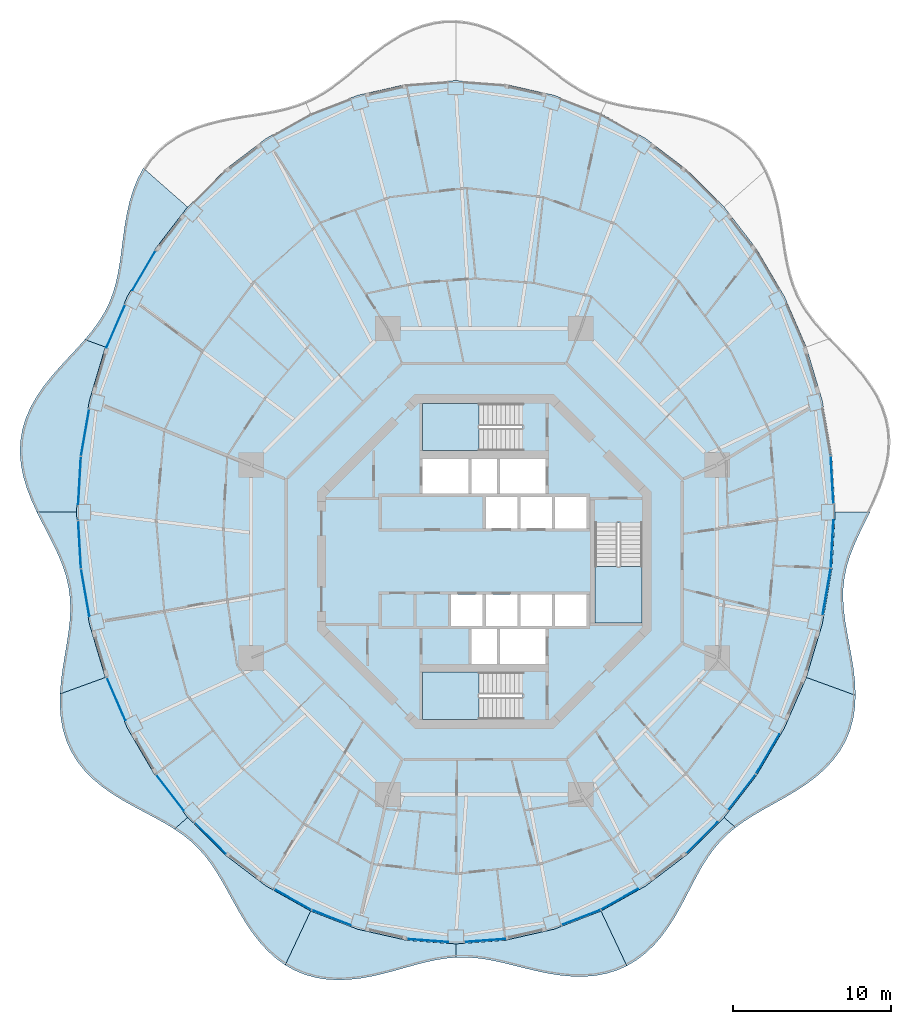
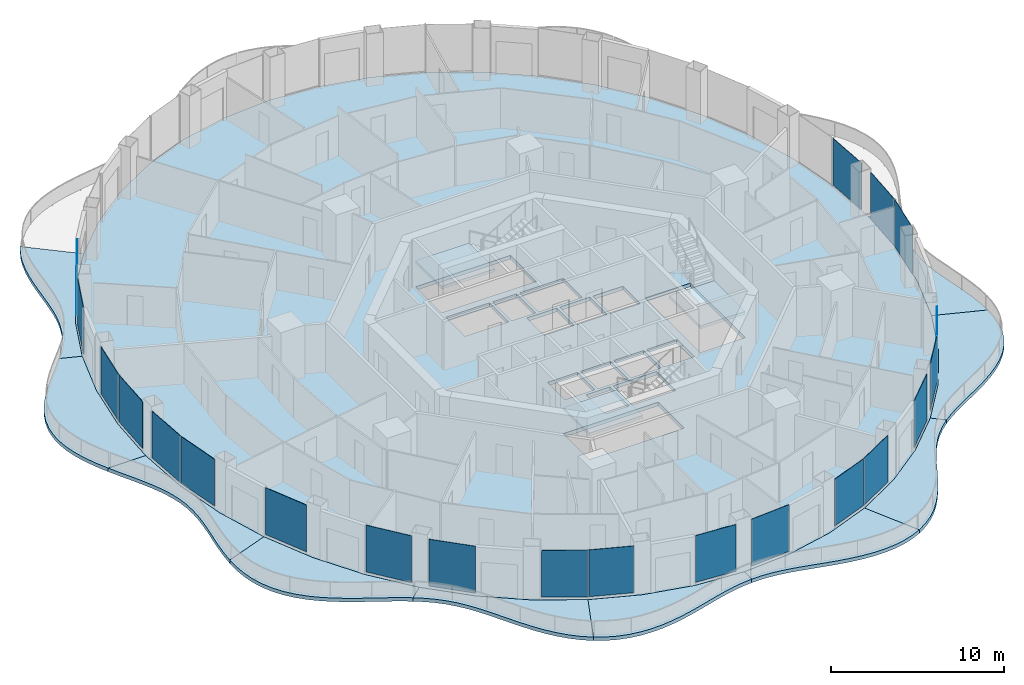
# One storey, part 8 of 18: 21 plates, 14 slabs, 24 elements without a shape of their own.
"""IFC4 building model written with IfcOpenShell, lengths in metres."""

from ifc_helpers import new_model, si_unit, direction, frame, origin, origin_2d, place, context, subcontext, project, spatial, polyline, rectangle, outline, extrude, material, layer, layer_set, type_object, element, aggregate, save


model = new_model("IFC4")

# Units and contexts
model_context = context("Model", 3, precision=1e-05, world=origin(), true_north=direction((0.0, 1.0)))
body_context = subcontext(model_context, "Body", "Model", "MODEL_VIEW")
ifc_project = project(units=[si_unit("LENGTHUNIT", "METRE"), si_unit("AREAUNIT", "SQUARE_METRE"), si_unit("VOLUMEUNIT", "CUBIC_METRE"), si_unit("PLANEANGLEUNIT", "RADIAN"), si_unit("MASSUNIT", "GRAM", prefix="KILO")], contexts=[model_context])

# Site, building, storey
site_placement = place(None, origin())
site = spatial("IfcSite", under=ifc_project, at=site_placement, CompositionType="ELEMENT")
building_placement = place(site_placement, origin())
building = spatial("IfcBuilding", under=site, at=building_placement, Name="Nagisa Residences", CompositionType="ELEMENT")
storey_placement = place(building_placement, frame((0.0, 0.0, 234.39990234375)))
storey = spatial("IfcBuildingStorey", under=building, at=storey_placement, Name="L59", CompositionType="ELEMENT", Elevation=234.39990234375)

# Slabs
ifc_material_1 = material(Name="Concrete C40/50", Category="concrete")
ifc_layer_1 = layer(ifc_material_1, 0.25)
ifc_layer_set_1 = layer_set([ifc_layer_1], Name="BALCONY SLAB 250")
slab_type_1 = type_object("IfcSlabType", Name="BALCONY SLAB 250", PredefinedType="FLOOR", material=ifc_layer_set_1)
slab_1_placement = place(storey_placement, frame((0.0, 0.0, -0.25)))
element("IfcSlab", 1, at=slab_1_placement, inside=storey, type_object=slab_type_1, Name="slab:L59:bal06", PredefinedType="FLOOR", context=body_context, shape_type="SweptSolid", body=[
    extrude(outline(polyline([(-21.626953125, 24.9521484375), (-21.9833984375, 24.284912109375), (-22.27099609375, 23.57421875), (-22.496826171875, 22.8310546875), (-22.67041015625, 22.06689453125), (-22.803955078125, 21.2939453125), (-22.9111328125, 20.523193359375), (-23.007080078125, 19.76416015625), (-23.107421875, 19.025146484375), (-23.226318359375, 18.31201171875), (-23.37744140625, 17.62841796875), (-23.5712890625, 16.9755859375), (-23.816162109375, 16.3525390625), (-24.1162109375, 15.75634765625), (-24.47265625, 15.181640625), (-24.882080078125, 14.622802734375), (-25.337890625, 14.07275390625), (-24.037841796875, 13.599365234375), (-22.645263671875, 16.812744140625), (-20.89599609375, 19.791748046875), (-18.820068359375, 22.4853515625), (-21.626953125, 24.9521484375)])), origin(), (0.0, 0.0, 1.0), 0.25),
])
slab_2_placement = place(storey_placement, frame((0.0, 0.0, -0.25)))
element("IfcSlab", 2, at=slab_2_placement, inside=storey, type_object=slab_type_1, Name="slab:L59:bal07", PredefinedType="FLOOR", context=body_context, shape_type="SweptSolid", body=[
    extrude(outline(polyline([(-25.337890625, 14.07275390625), (-25.84619140625, 13.50634765625), (-26.37841796875, 12.93359375), (-26.917724609375, 12.34765625), (-27.446044921875, 11.74267578125), (-27.9443359375, 11.114501953125), (-28.394287109375, 10.461181640625), (-28.779541015625, 9.78173828125), (-29.08642578125, 9.078369140625), (-29.30419921875, 8.353515625), (-29.427001953125, 7.61181640625), (-29.452880859375, 6.85888671875), (-29.384765625, 6.1005859375), (-29.22998046875, 5.34228515625), (-29.000244140625, 4.58984375), (-28.7099609375, 3.84716796875), (-28.376708984375, 3.11767578125), (-25.8701171875, 3.11767578125), (-25.6640625, 6.69287109375), (-25.0498046875, 10.206787109375), (-24.037841796875, 13.599365234375), (-25.337890625, 14.07275390625)])), origin(), (0.0, 0.0, 1.0), 0.25),
])
slab_3_placement = place(storey_placement, frame((0.0, 0.0, -0.25)))
element("IfcSlab", 3, at=slab_3_placement, inside=storey, type_object=slab_type_1, Name="slab:L59:bal08", PredefinedType="FLOOR", context=body_context, shape_type="SweptSolid", body=[
    extrude(outline(polyline([(-28.376708984375, 3.11767578125), (-28.01953125, 2.403076171875), (-27.657958984375, 1.703369140625), (-27.310302734375, 1.016845703125), (-26.994384765625, 0.340576171875), (-26.72412109375, -0.329345703125), (-26.510498046875, -0.998291015625), (-26.360595703125, -1.67138671875), (-26.2763671875, -2.353759765625), (-26.255615234375, -3.05029296875), (-26.291748046875, -3.7646484375), (-26.373779296875, -4.49853515625), (-26.487548828125, -5.25244140625), (-26.61669921875, -6.02490234375), (-26.742431640625, -6.8125), (-26.846435546875, -7.609619140625), (-26.91015625, -8.40966796875), (-24.037841796875, -7.364013671875), (-25.0498046875, -3.971435546875), (-25.6640625, -0.45751953125), (-25.8701171875, 3.11767578125), (-28.376708984375, 3.11767578125)])), origin(), (0.0, 0.0, 1.0), 0.25),
])
slab_4_placement = place(storey_placement, frame((0.0, 0.0, -0.25)))
element("IfcSlab", 4, at=slab_4_placement, inside=storey, type_object=slab_type_1, Name="slab:L59:bal09", PredefinedType="FLOOR", context=body_context, shape_type="SweptSolid", body=[
    extrude(outline(polyline([(-26.91015625, -8.40966796875), (-26.918212890625, -9.1796875), (-26.8603515625, -9.9365234375), (-26.72705078125, -10.672119140625), (-26.51171875, -11.378662109375), (-26.2119140625, -12.04931640625), (-25.82861328125, -12.67822265625), (-25.3671875, -13.26220703125), (-24.835693359375, -13.7998046875), (-24.245361328125, -14.29150390625), (-23.609619140625, -14.740966796875), (-22.94287109375, -15.153564453125), (-22.260986328125, -15.537353515625), (-21.578369140625, -15.9013671875), (-20.9091796875, -16.25634765625), (-20.26513671875, -16.613525390625), (-19.655517578125, -16.984130859375), (-18.820068359375, -16.25), (-20.89599609375, -13.556396484375), (-22.645263671875, -10.577392578125), (-24.037841796875, -7.364013671875), (-26.91015625, -8.40966796875)])), origin(), (0.0, 0.0, 1.0), 0.25),
])
slab_5_placement = place(storey_placement, frame((0.0, 0.0, -0.25)))
element("IfcSlab", 5, at=slab_5_placement, inside=storey, type_object=slab_type_1, Name="slab:L59:bal10", PredefinedType="FLOOR", context=body_context, shape_type="SweptSolid", body=[
    extrude(outline(polyline([(-19.655517578125, -16.984130859375), (-19.112548828125, -17.359375), (-18.609375, -17.763671875), (-18.14599609375, -18.203125), (-17.7197265625, -18.681640625), (-17.325439453125, -19.200439453125), (-16.955810546875, -19.7587890625), (-16.602294921875, -20.35205078125), (-16.2548828125, -20.97412109375), (-15.903076171875, -21.615478515625), (-15.537109375, -22.265625), (-15.1474609375, -22.911865234375), (-14.725830078125, -23.540283203125), (-14.26611328125, -24.137451171875), (-13.763916015625, -24.68994140625), (-13.21728515625, -25.185302734375), (-12.6259765625, -25.61328125), (-11.01123046875, -22.187255859375), (-13.8349609375, -20.602783203125), (-16.452880859375, -18.6123046875), (-18.820068359375, -16.25), (-19.655517578125, -16.984130859375)])), origin(), (0.0, 0.0, 1.0), 0.25),
])
slab_6_placement = place(storey_placement, frame((0.0, 0.0, -0.25)))
element("IfcSlab", 6, at=slab_6_placement, inside=storey, type_object=slab_type_1, Name="slab:L59:bal11", PredefinedType="FLOOR", context=body_context, shape_type="SweptSolid", body=[
    extrude(outline(polyline([(-12.6259765625, -25.61328125), (-12.01611328125, -25.9541015625), (-11.371337890625, -26.219970703125), (-10.6962890625, -26.408447265625), (-9.997802734375, -26.520751953125), (-9.282470703125, -26.560302734375), (-8.557861328125, -26.533447265625), (-7.830810546875, -26.44921875), (-7.107666015625, -26.318603515625), (-6.3935546875, -26.15380859375), (-5.692626953125, -25.968505859375), (-5.007568359375, -25.776123046875), (-4.339111328125, -25.59033203125), (-3.686767578125, -25.42333984375), (-3.048583984375, -25.285888671875), (-2.4208984375, -25.186279296875), (-1.800048828125, -25.130615234375), (-1.800048828125, -24.272216796875), (-4.941650390625, -24.0380859375), (-8.02978515625, -23.339111328125), (-11.01123046875, -22.187255859375), (-12.6259765625, -25.61328125)])), origin(), (0.0, 0.0, 1.0), 0.25),
])
slab_7_placement = place(storey_placement, frame((0.0, 0.0, -0.25)))
element("IfcSlab", 7, at=slab_7_placement, inside=storey, type_object=slab_type_1, Name="slab:L59:bal12", PredefinedType="FLOOR", context=body_context, shape_type="SweptSolid", body=[
    extrude(outline(polyline([(-1.800048828125, -25.130615234375), (-1.180908203125, -25.12158203125), (-0.55859375, -25.159423828125), (0.0712890625, -25.240966796875), (0.713134765625, -25.360107421875), (1.369873046875, -25.508544921875), (2.04296875, -25.67529296875), (2.73291015625, -25.848388671875), (3.438232421875, -26.01416015625), (4.15625, -26.1591796875), (4.882568359375, -26.270263671875), (5.611328125, -26.334716796875), (6.3359375, -26.34228515625), (7.04931640625, -26.283935546875), (7.744140625, -26.153564453125), (8.413330078125, -25.947509765625), (9.050537109375, -25.66552734375), (7.4111328125, -22.187255859375), (4.4296875, -23.339111328125), (1.341796875, -24.0380859375), (-1.800048828125, -24.272216796875), (-1.800048828125, -25.130615234375)])), origin(), (0.0, 0.0, 1.0), 0.25),
])
slab_8_placement = place(storey_placement, frame((0.0, 0.0, -0.25)))
element("IfcSlab", 8, at=slab_8_placement, inside=storey, type_object=slab_type_1, Name="slab:L59:bal13", PredefinedType="FLOOR", context=body_context, shape_type="SweptSolid", body=[
    extrude(outline(polyline([(9.050537109375, -25.66552734375), (9.67236328125, -25.294677734375), (10.250244140625, -24.849609375), (10.78173828125, -24.338623046875), (11.267578125, -23.772216796875), (11.7099609375, -23.16259765625), (12.11376953125, -22.523193359375), (12.485595703125, -21.867431640625), (12.834228515625, -21.208740234375), (13.16943359375, -20.5595703125), (13.501220703125, -19.93017578125), (13.84033203125, -19.329345703125), (14.19677734375, -18.763671875), (14.5791015625, -18.23681640625), (14.994873046875, -17.74951171875), (15.44873046875, -17.300537109375), (15.943603515625, -16.8857421875), (15.219970703125, -16.25), (12.852783203125, -18.6123046875), (10.235107421875, -20.602783203125), (7.4111328125, -22.187255859375), (9.050537109375, -25.66552734375)])), origin(), (0.0, 0.0, 1.0), 0.25),
])
slab_9_placement = place(storey_placement, frame((0.0, 0.0, -0.25)))
element("IfcSlab", 9, at=slab_9_placement, inside=storey, type_object=slab_type_1, Name="slab:L59:bal14", PredefinedType="FLOOR", context=body_context, shape_type="SweptSolid", body=[
    extrude(outline(polyline([(15.943603515625, -16.8857421875), (16.506103515625, -16.480712890625), (17.10986328125, -16.097900390625), (17.74755859375, -15.726806640625), (18.409912109375, -15.35693359375), (19.08447265625, -14.97705078125), (19.7568359375, -14.5771484375), (20.412109375, -14.14794921875), (21.034912109375, -13.682373046875), (21.6103515625, -13.17529296875), (22.125, -12.6240234375), (22.568115234375, -12.027587890625), (22.931640625, -11.387939453125), (23.2109375, -10.709228515625), (23.405029296875, -9.99658203125), (23.517333984375, -9.257080078125), (23.55419921875, -8.498291015625), (20.437744140625, -7.364013671875), (19.045166015625, -10.577392578125), (17.2958984375, -13.556396484375), (15.219970703125, -16.25), (15.943603515625, -16.8857421875)])), origin(), (0.0, 0.0, 1.0), 0.25),
])
slab_10_placement = place(storey_placement, frame((0.0, 0.0, -0.25)))
element("IfcSlab", 10, at=slab_10_placement, inside=storey, type_object=slab_type_1, Name="slab:L59:bal15", PredefinedType="FLOOR", context=body_context, shape_type="SweptSolid", body=[
    extrude(outline(polyline([(23.55419921875, -8.498291015625), (23.524169921875, -7.703857421875), (23.439208984375, -6.90576171875), (23.316162109375, -6.11181640625), (23.17333984375, -5.328369140625), (23.02978515625, -4.560546875), (22.90380859375, -3.81103515625), (22.8115234375, -3.0810546875), (22.766845703125, -2.36962890625), (22.7802734375, -1.67431640625), (22.858154296875, -0.991455078125), (23.001708984375, -0.316162109375), (23.208740234375, 0.356689453125), (23.47119140625, 1.0322265625), (23.778076171875, 1.71533203125), (24.114501953125, 2.40966796875), (24.463134765625, 3.11767578125), (22.27001953125, 3.11767578125), (22.06396484375, -0.45751953125), (21.449951171875, -3.971435546875), (20.437744140625, -7.364013671875), (23.55419921875, -8.498291015625)])), origin(), (0.0, 0.0, 1.0), 0.25),
])

# Curtain wall, plate
ifc_material_2 = material(Name="Concrete-coloured aluminium curtain wall system", Category="concrete")
ifc_layer_2 = layer(ifc_material_2, 0.159912109375)
ifc_layer_set_2 = layer_set([ifc_layer_2], Name="CW1 CURTAIN WALL")
curtain_wall_type = type_object("IfcCurtainWallType", Name="CW1 CURTAIN WALL", PredefinedType="NOTDEFINED", material=ifc_layer_set_2)
curtain_wall_1_placement = place(storey_placement, origin())
curtain_wall_1 = element("IfcCurtainWall", 11, at=curtain_wall_1_placement, inside=storey, type_object=curtain_wall_type, Name="cw:CW1:L59:00", PredefinedType="NOTDEFINED")
ifc_material_3 = material(Name="Clear laminated glass", Category="glass")
ifc_layer_3 = layer(ifc_material_3, 0.028076171875)
ifc_layer_set_3 = layer_set([ifc_layer_3], Name="CW1 GLASS PANEL")
plate_type = type_object("IfcPlateType", Name="CW1 GLASS PANEL", PredefinedType="CURTAIN_PANEL", material=ifc_layer_set_3)
plate_1_placement = place(storey_placement, frame((22.071044921875, 5.18017578125, 0.150146484375), z_axis=(0.0, 0.0, 1.0), x_axis=(-0.057503492216, 0.998345305184, 0.0)))
plate_1 = element("IfcPlate", 12, at=plate_1_placement, type_object=plate_type, Name="CW1 panel", PredefinedType="CURTAIN_PANEL", context=body_context, shape_type="SweptSolid", body=[
    extrude(rectangle(XDim=3.02099609375, YDim=0.028076171875, at=origin_2d()), origin(), (0.0, 0.0, 1.0), 3.2900390625),
])
aggregate(curtain_wall_1, [plate_1])

curtain_wall_2_placement = place(storey_placement, origin())
curtain_wall_2 = element("IfcCurtainWall", 13, at=curtain_wall_2_placement, inside=storey, type_object=curtain_wall_type, Name="cw:CW1:L59:19", PredefinedType="NOTDEFINED")
plate_2_placement = place(storey_placement, frame((-21.59033203125, 18.451416015625, 0.150146484375), z_axis=(0.0, 0.0, 1.0), x_axis=(-0.506348567002, -0.862328898214, 0.0)))
plate_2 = element("IfcPlate", 14, at=plate_2_placement, type_object=plate_type, Name="CW1 panel", PredefinedType="CURTAIN_PANEL", context=body_context, shape_type="SweptSolid", body=[
    extrude(rectangle(XDim=2.89453125, YDim=0.028076171875, at=origin_2d()), origin(), (0.0, 0.0, 1.0), 3.2900390625),
])
aggregate(curtain_wall_2, [plate_2])

curtain_wall_3_placement = place(storey_placement, origin())
curtain_wall_3 = element("IfcCurtainWall", 15, at=curtain_wall_3_placement, inside=storey, type_object=curtain_wall_type, Name="cw:CW1:L59:20", PredefinedType="NOTDEFINED")
plate_3_placement = place(storey_placement, frame((-23.37939453125, 14.917236328125, 0.150146484375), z_axis=(0.0, 0.0, 1.0), x_axis=(-0.397635934147, -0.917543276295, 0.0)))
plate_3 = element("IfcPlate", 16, at=plate_3_placement, type_object=plate_type, Name="CW1 panel", PredefinedType="CURTAIN_PANEL", context=body_context, shape_type="SweptSolid", body=[
    extrude(rectangle(XDim=2.942138671875, YDim=0.028076171875, at=origin_2d()), origin(), (0.0, 0.0, 1.0), 3.2900390625),
])
aggregate(curtain_wall_3, [plate_3])

curtain_wall_4_placement = place(storey_placement, origin())
curtain_wall_4 = element("IfcCurtainWall", 17, at=curtain_wall_4_placement, inside=storey, type_object=curtain_wall_type, Name="cw:CW1:L59:22", PredefinedType="NOTDEFINED")
plate_4_placement = place(storey_placement, frame((-25.326416015625, 8.16015625, 0.150146484375), z_axis=(0.0, 0.0, 1.0), x_axis=(-0.172190868898, -0.985063604377, 0.0)))
plate_4 = element("IfcPlate", 18, at=plate_4_placement, type_object=plate_type, Name="CW1 panel", PredefinedType="CURTAIN_PANEL", context=body_context, shape_type="SweptSolid", body=[
    extrude(rectangle(XDim=3.00732421875, YDim=0.028076171875, at=origin_2d()), origin(), (0.0, 0.0, 1.0), 3.2900390625),
])
aggregate(curtain_wall_4, [plate_4])

curtain_wall_5_placement = place(storey_placement, origin())
curtain_wall_5 = element("IfcCurtainWall", 19, at=curtain_wall_5_placement, inside=storey, type_object=curtain_wall_type, Name="cw:CW1:L59:23", PredefinedType="NOTDEFINED")
plate_5_placement = place(storey_placement, frame((-25.674560546875, 5.120361328125, 0.150146484375), z_axis=(0.0, 0.0, 1.0), x_axis=(-0.057503492216, -0.998345305184, 0.0)))
plate_5 = element("IfcPlate", 20, at=plate_5_placement, type_object=plate_type, Name="CW1 panel", PredefinedType="CURTAIN_PANEL", context=body_context, shape_type="SweptSolid", body=[
    extrude(rectangle(XDim=3.02099609375, YDim=0.028076171875, at=origin_2d()), origin(), (0.0, 0.0, 1.0), 3.2900390625),
])
aggregate(curtain_wall_5, [plate_5])

curtain_wall_6_placement = place(storey_placement, origin())
curtain_wall_6 = element("IfcCurtainWall", 21, at=curtain_wall_6_placement, inside=storey, type_object=curtain_wall_type, Name="cw:CW1:L59:24", PredefinedType="NOTDEFINED")
plate_6_placement = place(storey_placement, frame((-25.671142578125, 1.05517578125, 0.150146484375), z_axis=(0.0, 0.0, 1.0), x_axis=(0.057503492216, -0.998345305184, 0.0)))
plate_6 = element("IfcPlate", 22, at=plate_6_placement, type_object=plate_type, Name="CW1 panel", PredefinedType="CURTAIN_PANEL", context=body_context, shape_type="SweptSolid", body=[
    extrude(rectangle(XDim=3.02099609375, YDim=0.028076171875, at=origin_2d()), origin(), (0.0, 0.0, 1.0), 3.2900390625),
])
aggregate(curtain_wall_6, [plate_6])

curtain_wall_7_placement = place(storey_placement, origin())
curtain_wall_7 = element("IfcCurtainWall", 23, at=curtain_wall_7_placement, inside=storey, type_object=curtain_wall_type, Name="cw:CW1:L59:25", PredefinedType="NOTDEFINED")
plate_7_placement = place(storey_placement, frame((-25.31591796875, -1.98388671875, 0.150146484375), z_axis=(0.0, 0.0, 1.0), x_axis=(0.172190868898, -0.985063604377, 0.0)))
plate_7 = element("IfcPlate", 24, at=plate_7_placement, type_object=plate_type, Name="CW1 panel", PredefinedType="CURTAIN_PANEL", context=body_context, shape_type="SweptSolid", body=[
    extrude(rectangle(XDim=3.00732421875, YDim=0.028076171875, at=origin_2d()), origin(), (0.0, 0.0, 1.0), 3.2900390625),
])
aggregate(curtain_wall_7, [plate_7])

curtain_wall_8_placement = place(storey_placement, origin())
curtain_wall_8 = element("IfcCurtainWall", 25, at=curtain_wall_8_placement, inside=storey, type_object=curtain_wall_type, Name="cw:CW1:L59:27", PredefinedType="NOTDEFINED")
plate_8_placement = place(storey_placement, frame((-23.35546875, -8.737060546875, 0.150146484375), z_axis=(0.0, 0.0, 1.0), x_axis=(0.397635934147, -0.917543276295, 0.0)))
plate_8 = element("IfcPlate", 26, at=plate_8_placement, type_object=plate_type, Name="CW1 panel", PredefinedType="CURTAIN_PANEL", context=body_context, shape_type="SweptSolid", body=[
    extrude(rectangle(XDim=2.942138671875, YDim=0.028076171875, at=origin_2d()), origin(), (0.0, 0.0, 1.0), 3.2900390625),
])
aggregate(curtain_wall_8, [plate_8])

curtain_wall_9_placement = place(storey_placement, origin())
curtain_wall_9 = element("IfcCurtainWall", 27, at=curtain_wall_9_placement, inside=storey, type_object=curtain_wall_type, Name="cw:CW1:L59:29", PredefinedType="NOTDEFINED")
plate_9_placement = place(storey_placement, frame((-19.928955078125, -14.679931640625, 0.150146484375), z_axis=(0.0, 0.0, 1.0), x_axis=(0.610429828235, -0.792070340816, 0.0)))
plate_9 = element("IfcPlate", 28, at=plate_9_placement, type_object=plate_type, Name="CW1 panel", PredefinedType="CURTAIN_PANEL", context=body_context, shape_type="SweptSolid", body=[
    extrude(rectangle(XDim=2.8408203125, YDim=0.028076171875, at=origin_2d()), origin(), (0.0, 0.0, 1.0), 3.2900390625),
])
aggregate(curtain_wall_9, [plate_9])

curtain_wall_10_placement = place(storey_placement, origin())
curtain_wall_10 = element("IfcCurtainWall", 29, at=curtain_wall_10_placement, inside=storey, type_object=curtain_wall_type, Name="cw:CW1:L59:30", PredefinedType="NOTDEFINED")
plate_10_placement = place(storey_placement, frame((-17.3818359375, -17.572265625, 0.150146484375), z_axis=(0.0, 0.0, 1.0), x_axis=(0.707835924016, -0.706376885714, 0.0)))
plate_10 = element("IfcPlate", 30, at=plate_10_placement, type_object=plate_type, Name="CW1 panel", PredefinedType="CURTAIN_PANEL", context=body_context, shape_type="SweptSolid", body=[
    extrude(rectangle(XDim=2.7841796875, YDim=0.028076171875, at=origin_2d()), origin(), (0.0, 0.0, 1.0), 3.2900390625),
])
aggregate(curtain_wall_10, [plate_10])

curtain_wall_11_placement = place(storey_placement, origin())
curtain_wall_11 = element("IfcCurtainWall", 31, at=curtain_wall_11_placement, inside=storey, type_object=curtain_wall_type, Name="cw:CW1:L59:32", PredefinedType="NOTDEFINED")
plate_11_placement = place(storey_placement, frame((-12.1396484375, -21.46240234375, 0.150146484375), z_axis=(0.0, 0.0, 1.0), x_axis=(0.872072377523, -0.489376918501, 0.0)))
plate_11 = element("IfcPlate", 32, at=plate_11_placement, type_object=plate_type, Name="CW1 panel", PredefinedType="CURTAIN_PANEL", context=body_context, shape_type="SweptSolid", body=[
    extrude(rectangle(XDim=2.677978515625, YDim=0.028076171875, at=origin_2d()), origin(), (0.0, 0.0, 1.0), 3.2900390625),
])
aggregate(curtain_wall_11, [plate_11])

curtain_wall_12_placement = place(storey_placement, origin())
curtain_wall_12 = element("IfcCurtainWall", 33, at=curtain_wall_12_placement, inside=storey, type_object=curtain_wall_type, Name="cw:CW1:L59:33", PredefinedType="NOTDEFINED")
plate_12_placement = place(storey_placement, frame((-9.69677734375, -22.609375, 0.150146484375), z_axis=(0.0, 0.0, 1.0), x_axis=(0.932825759707, -0.360327770268, 0.0)))
plate_12 = element("IfcPlate", 34, at=plate_12_placement, type_object=plate_type, Name="CW1 panel", PredefinedType="CURTAIN_PANEL", context=body_context, shape_type="SweptSolid", body=[
    extrude(rectangle(XDim=2.63623046875, YDim=0.028076171875, at=origin_2d()), origin(), (0.0, 0.0, 1.0), 3.2900390625),
])
aggregate(curtain_wall_12, [plate_12])

curtain_wall_13_placement = place(storey_placement, origin())
curtain_wall_13 = element("IfcCurtainWall", 35, at=curtain_wall_13_placement, inside=storey, type_object=curtain_wall_type, Name="cw:CW1:L59:35", PredefinedType="NOTDEFINED")
plate_13_placement = place(storey_placement, frame((-3.584228515625, -24.05908203125, 0.150146484375), z_axis=(0.0, 0.0, 1.0), x_axis=(0.997230168512, -0.074377355493, 0.0)))
plate_13 = element("IfcPlate", 36, at=plate_13_placement, type_object=plate_type, Name="CW1 panel", PredefinedType="CURTAIN_PANEL", context=body_context, shape_type="SweptSolid", body=[
    extrude(rectangle(XDim=2.590576171875, YDim=0.028076171875, at=origin_2d()), origin(), (0.0, 0.0, 1.0), 3.2900390625),
])
aggregate(curtain_wall_13, [plate_13])

curtain_wall_14_placement = place(storey_placement, origin())
curtain_wall_14 = element("IfcCurtainWall", 37, at=curtain_wall_14_placement, inside=storey, type_object=curtain_wall_type, Name="cw:CW1:L59:36", PredefinedType="NOTDEFINED")
plate_14_placement = place(storey_placement, frame((0.044189453125, -24.054443359375, 0.150146484375), z_axis=(0.0, 0.0, 1.0), x_axis=(0.997230168512, 0.074377355493, 0.0)))
plate_14 = element("IfcPlate", 38, at=plate_14_placement, type_object=plate_type, Name="CW1 panel", PredefinedType="CURTAIN_PANEL", context=body_context, shape_type="SweptSolid", body=[
    extrude(rectangle(XDim=2.590576171875, YDim=0.028076171875, at=origin_2d()), origin(), (0.0, 0.0, 1.0), 3.2900390625),
])
aggregate(curtain_wall_14, [plate_14])

curtain_wall_15_placement = place(storey_placement, origin())
curtain_wall_15 = element("IfcCurtainWall", 39, at=curtain_wall_15_placement, inside=storey, type_object=curtain_wall_type, Name="cw:CW1:L59:38", PredefinedType="NOTDEFINED")
plate_15_placement = place(storey_placement, frame((6.15283203125, -22.587646484375, 0.150146484375), z_axis=(0.0, 0.0, 1.0), x_axis=(0.932825759707, 0.360327770268, 0.0)))
plate_15 = element("IfcPlate", 40, at=plate_15_placement, type_object=plate_type, Name="CW1 panel", PredefinedType="CURTAIN_PANEL", context=body_context, shape_type="SweptSolid", body=[
    extrude(rectangle(XDim=2.63623046875, YDim=0.028076171875, at=origin_2d()), origin(), (0.0, 0.0, 1.0), 3.2900390625),
])
aggregate(curtain_wall_15, [plate_15])

curtain_wall_16_placement = place(storey_placement, origin())
curtain_wall_16 = element("IfcCurtainWall", 41, at=curtain_wall_16_placement, inside=storey, type_object=curtain_wall_type, Name="cw:CW1:L59:39", PredefinedType="NOTDEFINED")
plate_16_placement = place(storey_placement, frame((8.592041015625, -21.432861328125, 0.150146484375), z_axis=(0.0, 0.0, 1.0), x_axis=(0.872072377523, 0.489376918501, 0.0)))
plate_16 = element("IfcPlate", 42, at=plate_16_placement, type_object=plate_type, Name="CW1 panel", PredefinedType="CURTAIN_PANEL", context=body_context, shape_type="SweptSolid", body=[
    extrude(rectangle(XDim=2.677978515625, YDim=0.028076171875, at=origin_2d()), origin(), (0.0, 0.0, 1.0), 3.2900390625),
])
aggregate(curtain_wall_16, [plate_16])

curtain_wall_17_placement = place(storey_placement, origin())
curtain_wall_17 = element("IfcCurtainWall", 43, at=curtain_wall_17_placement, inside=storey, type_object=curtain_wall_type, Name="cw:CW1:L59:41", PredefinedType="NOTDEFINED")
plate_17_placement = place(storey_placement, frame((13.82421875, -17.52978515625, 0.150146484375), z_axis=(0.0, 0.0, 1.0), x_axis=(0.707835924016, 0.706376885714, 0.0)))
plate_17 = element("IfcPlate", 44, at=plate_17_placement, type_object=plate_type, Name="CW1 panel", PredefinedType="CURTAIN_PANEL", context=body_context, shape_type="SweptSolid", body=[
    extrude(rectangle(XDim=2.7841796875, YDim=0.028076171875, at=origin_2d()), origin(), (0.0, 0.0, 1.0), 3.2900390625),
])
aggregate(curtain_wall_17, [plate_17])

curtain_wall_18_placement = place(storey_placement, origin())
curtain_wall_18 = element("IfcCurtainWall", 45, at=curtain_wall_18_placement, inside=storey, type_object=curtain_wall_type, Name="cw:CW1:L59:42", PredefinedType="NOTDEFINED")
plate_18_placement = place(storey_placement, frame((16.365478515625, -14.632568359375, 0.150146484375), z_axis=(0.0, 0.0, 1.0), x_axis=(0.610429828235, 0.792070340816, 0.0)))
plate_18 = element("IfcPlate", 46, at=plate_18_placement, type_object=plate_type, Name="CW1 panel", PredefinedType="CURTAIN_PANEL", context=body_context, shape_type="SweptSolid", body=[
    extrude(rectangle(XDim=2.8408203125, YDim=0.028076171875, at=origin_2d()), origin(), (0.0, 0.0, 1.0), 3.2900390625),
])
aggregate(curtain_wall_18, [plate_18])

curtain_wall_19_placement = place(storey_placement, origin())
curtain_wall_19 = element("IfcCurtainWall", 47, at=curtain_wall_19_placement, inside=storey, type_object=curtain_wall_type, Name="cw:CW1:L59:43", PredefinedType="NOTDEFINED")
plate_19_placement = place(storey_placement, frame((17.990234375, -12.216064453125, 0.150146484375), z_axis=(0.0, 0.0, 1.0), x_axis=(0.506348567002, 0.862328898214, 0.0)))
plate_19 = element("IfcPlate", 48, at=plate_19_placement, type_object=plate_type, Name="CW1 panel", PredefinedType="CURTAIN_PANEL", context=body_context, shape_type="SweptSolid", body=[
    extrude(rectangle(XDim=2.89453125, YDim=0.028076171875, at=origin_2d()), origin(), (0.0, 0.0, 1.0), 3.2900390625),
])
aggregate(curtain_wall_19, [plate_19])

curtain_wall_20_placement = place(storey_placement, origin())
curtain_wall_20 = element("IfcCurtainWall", 49, at=curtain_wall_20_placement, inside=storey, type_object=curtain_wall_type, Name="cw:CW1:L59:46", PredefinedType="NOTDEFINED")
plate_20_placement = place(storey_placement, frame((21.726318359375, -1.9248046875, 0.150146484375), z_axis=(0.0, 0.0, 1.0), x_axis=(0.172190868898, 0.985063604377, 0.0)))
plate_20 = element("IfcPlate", 50, at=plate_20_placement, type_object=plate_type, Name="CW1 panel", PredefinedType="CURTAIN_PANEL", context=body_context, shape_type="SweptSolid", body=[
    extrude(rectangle(XDim=3.00732421875, YDim=0.028076171875, at=origin_2d()), origin(), (0.0, 0.0, 1.0), 3.2900390625),
])
aggregate(curtain_wall_20, [plate_20])

curtain_wall_21_placement = place(storey_placement, origin())
curtain_wall_21 = element("IfcCurtainWall", 51, at=curtain_wall_21_placement, inside=storey, type_object=curtain_wall_type, Name="cw:CW1:L59:47", PredefinedType="NOTDEFINED")
plate_21_placement = place(storey_placement, frame((22.074462890625, 1.114990234375, 0.150146484375), z_axis=(0.0, 0.0, 1.0), x_axis=(0.057503492216, 0.998345305184, 0.0)))
plate_21 = element("IfcPlate", 52, at=plate_21_placement, type_object=plate_type, Name="CW1 panel", PredefinedType="CURTAIN_PANEL", context=body_context, shape_type="SweptSolid", body=[
    extrude(rectangle(XDim=3.02099609375, YDim=0.028076171875, at=origin_2d()), origin(), (0.0, 0.0, 1.0), 3.2900390625),
])
aggregate(curtain_wall_21, [plate_21])

# Slab
ifc_material_4 = material(Name="Concrete C40", Category="concrete")
ifc_layer_4 = layer(ifc_material_4, 0.260009765625)
ifc_layer_set_4 = layer_set([ifc_layer_4], Name="Floor slab 260")
slab_type_2 = type_object("IfcSlabType", Name="Floor slab 260", PredefinedType="FLOOR", material=ifc_layer_set_4)
slab_11_placement = place(storey_placement, frame((0.0, 0.0, -0.260009765625)))
element("IfcSlab", 53, at=slab_11_placement, inside=storey, type_object=slab_type_2, Name="slab:L59:floor", PredefinedType="FLOOR", context=body_context, shape_type="SweptSolid", body=[
    extrude(outline(polyline([(22.27001953125, 3.11767578125), (22.06396484375, 6.69287109375), (21.449951171875, 10.206787109375), (20.437744140625, 13.599365234375), (19.045166015625, 16.812744140625), (17.2958984375, 19.791748046875), (15.219970703125, 22.4853515625), (12.852783203125, 24.84765625), (10.235107421875, 26.838134765625), (7.4111328125, 28.4228515625), (4.4296875, 29.574462890625), (1.341796875, 30.2734375), (-1.800048828125, 30.5078125), (-4.941650390625, 30.2734375), (-8.02978515625, 29.574462890625), (-11.01123046875, 28.4228515625), (-13.8349609375, 26.838134765625), (-16.452880859375, 24.84765625), (-18.820068359375, 22.4853515625), (-20.89599609375, 19.791748046875), (-22.645263671875, 16.812744140625), (-24.037841796875, 13.599365234375), (-25.0498046875, 10.206787109375), (-25.6640625, 6.69287109375), (-25.8701171875, 3.11767578125), (-25.6640625, -0.45751953125), (-25.0498046875, -3.971435546875), (-24.037841796875, -7.364013671875), (-22.645263671875, -10.577392578125), (-20.89599609375, -13.556396484375), (-18.820068359375, -16.25), (-16.452880859375, -18.6123046875), (-13.8349609375, -20.602783203125), (-11.01123046875, -22.187255859375), (-8.02978515625, -23.339111328125), (-4.941650390625, -24.0380859375), (-1.800048828125, -24.272216796875), (1.341796875, -24.0380859375), (4.4296875, -23.339111328125), (7.4111328125, -22.187255859375), (10.235107421875, -20.602783203125), (12.852783203125, -18.6123046875), (15.219970703125, -16.25), (17.2958984375, -13.556396484375), (19.045166015625, -10.577392578125), (20.437744140625, -7.364013671875), (21.449951171875, -3.971435546875), (22.06396484375, -0.45751953125), (22.27001953125, 3.11767578125)]), holes=[polyline([(2.10009765625, 2.10009765625), (2.10009765625, 4.10009765625), (0.10009765625, 4.10009765625), (0.10009765625, 2.10009765625), (2.10009765625, 2.10009765625)]), polyline([(4.300048828125, 2.10009765625), (4.300048828125, 4.10009765625), (2.300048828125, 4.10009765625), (2.300048828125, 2.10009765625), (4.300048828125, 2.10009765625)]), polyline([(6.5, 2.10009765625), (6.5, 4.10009765625), (4.5, 4.10009765625), (4.5, 2.10009765625), (6.5, 2.10009765625)]), polyline([(-0.10009765625, -4.10009765625), (-0.10009765625, -2.10009765625), (-2.10009765625, -2.10009765625), (-2.10009765625, -4.10009765625), (-0.10009765625, -4.10009765625)]), polyline([(2.10009765625, -4.10009765625), (2.10009765625, -2.10009765625), (0.10009765625, -2.10009765625), (0.10009765625, -4.10009765625), (2.10009765625, -4.10009765625)]), polyline([(4.300048828125, -4.10009765625), (4.300048828125, -2.10009765625), (2.300048828125, -2.10009765625), (2.300048828125, -4.10009765625), (4.300048828125, -4.10009765625)]), polyline([(6.5, -4.10009765625), (6.5, -2.10009765625), (4.5, -2.10009765625), (4.5, -4.10009765625), (6.5, -4.10009765625)]), polyline([(3.89990234375, 4.300048828125), (3.89990234375, 6.5), (1.0, 6.5), (1.0, 4.300048828125), (3.89990234375, 4.300048828125)]), polyline([(3.89990234375, -6.5), (3.89990234375, -4.300048828125), (1.0, -4.300048828125), (1.0, -6.5), (3.89990234375, -6.5)]), polyline([(-1.0, 4.300048828125), (-1.0, 6.5), (-3.89990234375, 6.5), (-3.89990234375, 4.300048828125), (-1.0, 4.300048828125)]), polyline([(0.800048828125, 4.300048828125), (0.800048828125, 6.5), (-0.800048828125, 6.5), (-0.800048828125, 4.300048828125), (0.800048828125, 4.300048828125)]), polyline([(0.800048828125, -6.5), (0.800048828125, -4.300048828125), (-0.800048828125, -4.300048828125), (-0.800048828125, -6.5), (0.800048828125, -6.5)]), polyline([(10.024658203125, -3.89990234375), (7.024658203125, -3.89990234375), (7.024658203125, 2.425048828125), (10.024658203125, 2.425048828125), (10.024658203125, -3.89990234375)]), polyline([(-3.89990234375, 7.024658203125), (-3.89990234375, 10.024658203125), (2.425048828125, 10.024658203125), (2.425048828125, 7.024658203125), (-3.89990234375, 7.024658203125)]), polyline([(-3.89990234375, -10.024658203125), (-3.89990234375, -7.024658203125), (2.425048828125, -7.024658203125), (2.425048828125, -10.024658203125), (-3.89990234375, -10.024658203125)])]), origin(), (0.0, 0.0, 1.0), 0.260009765625),
])

# Stair, slab
ifc_material_5 = material(Name="Concrete C60", Category="concrete")
stair_type = type_object("IfcStairType", Name="Exit stair", PredefinedType="HALF_TURN_STAIR", material=ifc_material_5)
stair_1_placement = place(storey_placement, origin())
stair_1 = element("IfcStair", 54, at=stair_1_placement, inside=storey, type_object=stair_type, Name="L59 Exit stair E", PredefinedType="HALF_TURN_STAIR")
ifc_material_6 = material(Name="Concrete C60", Category="concrete")
ifc_layer_5 = layer(ifc_material_6, 0.199951171875)
ifc_layer_set_5 = layer_set([ifc_layer_5], Name="Stair landing")
slab_type_3 = type_object("IfcSlabType", Name="Stair landing", PredefinedType="LANDING", material=ifc_layer_set_5)
slab_12_placement = place(storey_placement, frame((0.0, 0.0, 1.650146484375)))
slab_12 = element("IfcSlab", 55, at=slab_12_placement, type_object=slab_type_3, Name="ST-E landing 1", PredefinedType="LANDING", context=body_context, shape_type="SweptSolid", body=[
    extrude(outline(polyline([(7.024658203125, -0.324951171875), (7.024658203125, -3.89990234375), (10.024658203125, -3.89990234375), (10.024658203125, -0.324951171875), (7.024658203125, -0.324951171875)])), origin(), (0.0, 0.0, 1.0), 0.199951171875),
])
aggregate(stair_1, [slab_12])

stair_2_placement = place(storey_placement, origin())
stair_2 = element("IfcStair", 56, at=stair_2_placement, inside=storey, type_object=stair_type, Name="L59 Exit stair N", PredefinedType="HALF_TURN_STAIR")
slab_13_placement = place(storey_placement, frame((0.0, 0.0, 1.650146484375)))
slab_13 = element("IfcSlab", 57, at=slab_13_placement, type_object=slab_type_3, Name="ST-N landing 1", PredefinedType="LANDING", context=body_context, shape_type="SweptSolid", body=[
    extrude(outline(polyline([(-0.324951171875, 10.024658203125), (-3.89990234375, 10.024658203125), (-3.89990234375, 7.024658203125), (-0.324951171875, 7.024658203125), (-0.324951171875, 10.024658203125)])), origin(), (0.0, 0.0, 1.0), 0.199951171875),
])
aggregate(stair_2, [slab_13])

stair_3_placement = place(storey_placement, origin())
stair_3 = element("IfcStair", 58, at=stair_3_placement, inside=storey, type_object=stair_type, Name="L59 Exit stair S", PredefinedType="HALF_TURN_STAIR")
slab_14_placement = place(storey_placement, frame((0.0, 0.0, 1.650146484375)))
slab_14 = element("IfcSlab", 59, at=slab_14_placement, type_object=slab_type_3, Name="ST-S landing 1", PredefinedType="LANDING", context=body_context, shape_type="SweptSolid", body=[
    extrude(outline(polyline([(-0.324951171875, -7.024658203125), (-3.89990234375, -7.024658203125), (-3.89990234375, -10.024658203125), (-0.324951171875, -10.024658203125), (-0.324951171875, -7.024658203125)])), origin(), (0.0, 0.0, 1.0), 0.199951171875),
])
aggregate(stair_3, [slab_14])

save(model, "model.ifc")
